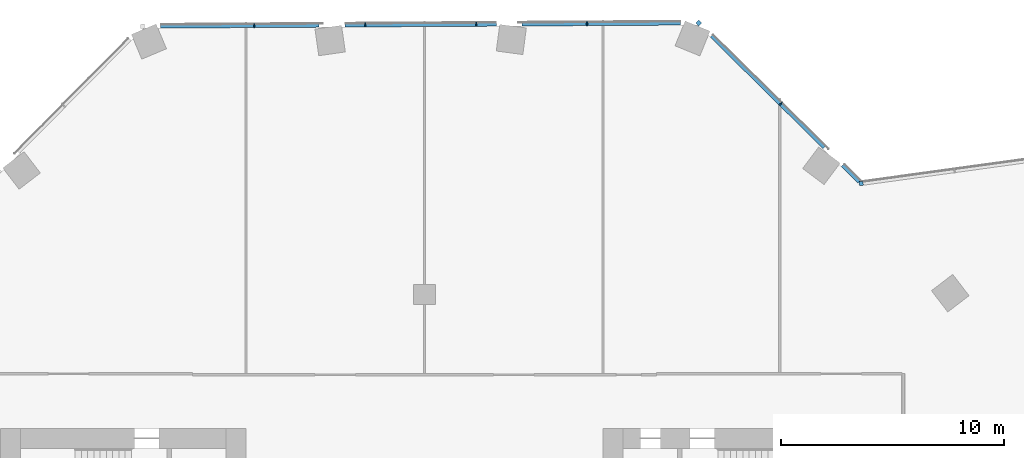
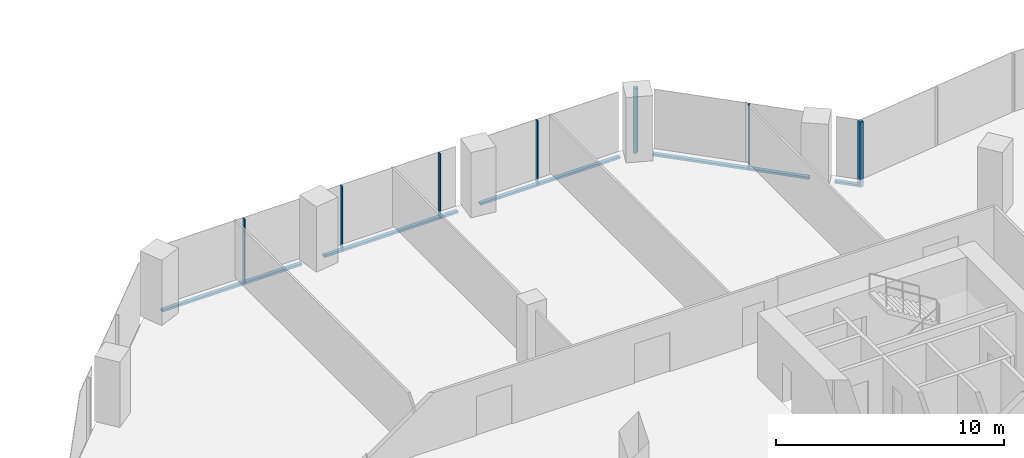
# One storey, part 10 of 27: 12 members, 3 elements without a shape of their own.
"""IFC4 building model written with IfcOpenShell, lengths in metres."""

from ifc_helpers import new_model, si_unit, direction, frame, origin, origin_2d, place, context, subcontext, project, spatial, rectangle, extrude, material, material_profile, profile_set, type_object, element, aggregate, save


model = new_model("IFC4")

# Units and contexts
model_context = context("Model", 3, precision=1e-05, world=origin(), true_north=direction((0.0, 1.0)))
body_context = subcontext(model_context, "Body", "Model", "MODEL_VIEW")
ifc_project = project(units=[si_unit("LENGTHUNIT", "METRE"), si_unit("AREAUNIT", "SQUARE_METRE"), si_unit("VOLUMEUNIT", "CUBIC_METRE"), si_unit("PLANEANGLEUNIT", "RADIAN"), si_unit("MASSUNIT", "GRAM", prefix="KILO")], contexts=[model_context])

# Site, building, storey
site_placement = place(None, origin())
site = spatial("IfcSite", under=ifc_project, at=site_placement, CompositionType="ELEMENT")
building_placement = place(site_placement, origin())
building = spatial("IfcBuilding", under=site, at=building_placement, Name="Orlundy Tower", CompositionType="ELEMENT")
storey_placement = place(building_placement, frame((0.0, 0.0, 195.60009765625)))
storey = spatial("IfcBuildingStorey", under=building, at=storey_placement, Name="L51", CompositionType="ELEMENT", Elevation=195.60009765625)

# Curtain wall, member
ifc_material_1 = material(Name="Aluminium bronze anodised", Category="aluminium")
curtain_wall_type = type_object("IfcCurtainWallType", Name="CW1 wall", PredefinedType="NOTDEFINED", material=ifc_material_1)
curtain_wall_1_placement = place(storey_placement, origin())
curtain_wall_1 = element("IfcCurtainWall", 1, at=curtain_wall_1_placement, inside=storey, type_object=curtain_wall_type, Name="CW1 run 05", PredefinedType="NOTDEFINED")
ifc_material_2 = material(Name="Aluminium bronze anodised", Category="aluminium")
ifc_material_profile_1 = material_profile(ifc_material_2, rectangle(XDim=0.179931640625, YDim=0.179931640625, at=origin_2d()), Name="CW1 corner post 180x180")
ifc_profile_set_1 = profile_set([ifc_material_profile_1], Name="Aluminium bronze anodised")
member_type_1 = type_object("IfcMemberType", Name="CW1 corner post 180x180", PredefinedType="MULLION", material=ifc_profile_set_1)
member_1_placement = place(storey_placement, frame((12.288818359375, 30.162109375, -0.420166015625), z_axis=(0.0, 0.0, 1.0), x_axis=(0.702991811789, 0.711197941896, 0.0)))
member_1 = element("IfcMember", 2, at=member_1_placement, type_object=member_type_1, Name="CW1 mullion 24", PredefinedType="MULLION", context=body_context, shape_type="SweptSolid", body=[
    extrude(rectangle(XDim=0.179931640625, YDim=0.179931640625, at=origin_2d()), origin(), (0.0, 0.0, 1.0), 3.5),
])

curtain_wall_2_placement = place(storey_placement, origin())
curtain_wall_2 = element("IfcCurtainWall", 3, at=curtain_wall_2_placement, inside=storey, type_object=curtain_wall_type, Name="CW1 run 06", PredefinedType="NOTDEFINED")
member_2_placement = place(storey_placement, frame((19.563720703125, 22.97119140625, -0.420166015625), z_axis=(0.0, 0.0, 1.0), x_axis=(-0.136185270904, 0.990683386349, 0.0)))
member_2 = element("IfcMember", 4, at=member_2_placement, type_object=member_type_1, Name="CW1 mullion 26", PredefinedType="MULLION", context=body_context, shape_type="SweptSolid", body=[
    extrude(rectangle(XDim=0.179931640625, YDim=0.179931640625, at=origin_2d()), origin(), (0.0, 0.0, 1.0), 3.5),
])
aggregate(curtain_wall_2, [member_2])

# Curtain wall, members
curtain_wall_3_placement = place(storey_placement, origin())
curtain_wall_3 = element("IfcCurtainWall", 5, at=curtain_wall_3_placement, inside=storey, type_object=curtain_wall_type, Name="CW1 run 04", PredefinedType="NOTDEFINED")
ifc_material_3 = material(Name="Aluminium bronze anodised", Category="aluminium")
ifc_material_profile_2 = material_profile(ifc_material_3, rectangle(XDim=0.179931640625, YDim=0.050048828125, at=origin_2d()), Name="CW1 mullion 50x180")
ifc_profile_set_2 = profile_set([ifc_material_profile_2], Name="Aluminium bronze anodised")
member_type_2 = type_object("IfcMemberType", Name="CW1 mullion 50x180", PredefinedType="MULLION", material=ifc_profile_set_2)
member_3_placement = place(storey_placement, frame((-7.630859375, 30.0458984375, -0.420166015625), z_axis=(0.0, 0.0, 1.0), x_axis=(-0.005834206419, 0.999982980873, 0.0)))
member_3 = element("IfcMember", 6, at=member_3_placement, type_object=member_type_2, Name="CW1 mullion 20", PredefinedType="MULLION", context=body_context, shape_type="SweptSolid", body=[
    extrude(rectangle(XDim=0.179931640625, YDim=0.050048828125, at=origin_2d()), origin(), (0.0, 0.0, 1.0), 3.5),
])
member_4_placement = place(storey_placement, frame((-2.660400390625, 30.074951171875, -0.420166015625), z_axis=(0.0, 0.0, 1.0), x_axis=(-0.005834206419, 0.999982980873, 0.0)))
member_4 = element("IfcMember", 7, at=member_4_placement, type_object=member_type_2, Name="CW1 mullion 21", PredefinedType="MULLION", context=body_context, shape_type="SweptSolid", body=[
    extrude(rectangle(XDim=0.179931640625, YDim=0.050048828125, at=origin_2d()), origin(), (0.0, 0.0, 1.0), 3.5),
])
member_5_placement = place(storey_placement, frame((2.310302734375, 30.10400390625, -0.420166015625), z_axis=(0.0, 0.0, 1.0), x_axis=(-0.005834206419, 0.999982980873, 0.0)))
member_5 = element("IfcMember", 8, at=member_5_placement, type_object=member_type_2, Name="CW1 mullion 22", PredefinedType="MULLION", context=body_context, shape_type="SweptSolid", body=[
    extrude(rectangle(XDim=0.179931640625, YDim=0.050048828125, at=origin_2d()), origin(), (0.0, 0.0, 1.0), 3.5),
])
member_6_placement = place(storey_placement, frame((7.28076171875, 30.133056640625, -0.420166015625), z_axis=(0.0, 0.0, 1.0), x_axis=(-0.005834206419, 0.999982980873, 0.0)))
member_6 = element("IfcMember", 9, at=member_6_placement, type_object=member_type_2, Name="CW1 mullion 23", PredefinedType="MULLION", context=body_context, shape_type="SweptSolid", body=[
    extrude(rectangle(XDim=0.179931640625, YDim=0.050048828125, at=origin_2d()), origin(), (0.0, 0.0, 1.0), 3.5),
])

# Member
member_7_placement = place(storey_placement, frame((15.955322265625, 26.5380859375, -0.420166015625), z_axis=(0.0, 0.0, 1.0), x_axis=(0.702991811789, 0.711197941896, 0.0)))
member_7 = element("IfcMember", 10, at=member_7_placement, type_object=member_type_2, Name="CW1 mullion 25", PredefinedType="MULLION", context=body_context, shape_type="SweptSolid", body=[
    extrude(rectangle(XDim=0.179931640625, YDim=0.050048828125, at=origin_2d()), origin(), (0.0, 0.0, 1.0), 3.5),
])

ifc_material_4 = material(Name="Aluminium bronze anodised", Category="aluminium")
ifc_material_profile_3 = material_profile(ifc_material_4, rectangle(XDim=0.179931640625, YDim=0.1201171875, at=origin_2d()), Name="CW1 transom 180x120")
ifc_profile_set_3 = profile_set([ifc_material_profile_3], Name="Aluminium bronze anodised")
member_type_3 = type_object("IfcMemberType", Name="CW1 transom 180x120", PredefinedType="USERDEFINED", material=ifc_profile_set_3)
member_8_placement = place(storey_placement, frame((-11.826904296875, 30.021484375, -0.360107421875), z_axis=(0.999982941086, 0.005841021852, 0.0), x_axis=(-0.005841021852, 0.999982941086, 0.0)))
member_8 = element("IfcMember", 11, at=member_8_placement, type_object=member_type_3, Name="CW1 transom", ObjectType="TRANSOM", PredefinedType="USERDEFINED", context=body_context, shape_type="SweptSolid", body=[
    extrude(rectangle(XDim=0.179931640625, YDim=0.1201171875, at=origin_2d()), origin(), (0.0, 0.0, 1.0), 7.10546875),
])

member_9_placement = place(storey_placement, frame((-3.572265625, 30.069580078125, -0.360107421875), z_axis=(0.999982848282, 0.005856888404, 0.0), x_axis=(-0.005856888404, 0.999982848282, 0.0)))
member_9 = element("IfcMember", 12, at=member_9_placement, type_object=member_type_3, Name="CW1 transom", ObjectType="TRANSOM", PredefinedType="USERDEFINED", context=body_context, shape_type="SweptSolid", body=[
    extrude(rectangle(XDim=0.179931640625, YDim=0.1201171875, at=origin_2d()), origin(), (0.0, 0.0, 1.0), 6.79443359375),
])

member_10_placement = place(storey_placement, frame((4.36865234375, 30.115966796875, -0.360107421875), z_axis=(0.999982956315, 0.005838414073, 0.0), x_axis=(-0.005838414073, 0.999982956315, 0.0)))
member_10 = element("IfcMember", 13, at=member_10_placement, type_object=member_type_3, Name="CW1 transom", ObjectType="TRANSOM", PredefinedType="USERDEFINED", context=body_context, shape_type="SweptSolid", body=[
    extrude(rectangle(XDim=0.179931640625, YDim=0.1201171875, at=origin_2d()), origin(), (0.0, 0.0, 1.0), 7.108642578125),
])

aggregate(curtain_wall_3, [member_3, member_4, member_5, member_6, member_8, member_9, member_10])

member_11_placement = place(storey_placement, frame((12.8662109375, 29.59130859375, -0.360107421875), z_axis=(0.711199791426, -0.702989940665, 0.0), x_axis=(0.702989940665, 0.711199791426, 0.0)))
member_11 = element("IfcMember", 14, at=member_11_placement, type_object=member_type_3, Name="CW1 transom", ObjectType="TRANSOM", PredefinedType="USERDEFINED", context=body_context, shape_type="SweptSolid", body=[
    extrude(rectangle(XDim=0.179931640625, YDim=0.1201171875, at=origin_2d()), origin(), (0.0, 0.0, 1.0), 7.107177734375),
])

member_12_placement = place(storey_placement, frame((18.73681640625, 23.78857421875, -0.360107421875), z_axis=(0.711167511721, -0.703022595848, 0.0), x_axis=(0.703022595848, 0.711167511721, 0.0)))
member_12 = element("IfcMember", 15, at=member_12_placement, type_object=member_type_3, Name="CW1 transom", ObjectType="TRANSOM", PredefinedType="USERDEFINED", context=body_context, shape_type="SweptSolid", body=[
    extrude(rectangle(XDim=0.179931640625, YDim=0.1201171875, at=origin_2d()), origin(), (0.0, 0.0, 1.0), 1.049072265625),
])

aggregate(curtain_wall_1, [member_1, member_7, member_11, member_12])

save(model, "model.ifc")
